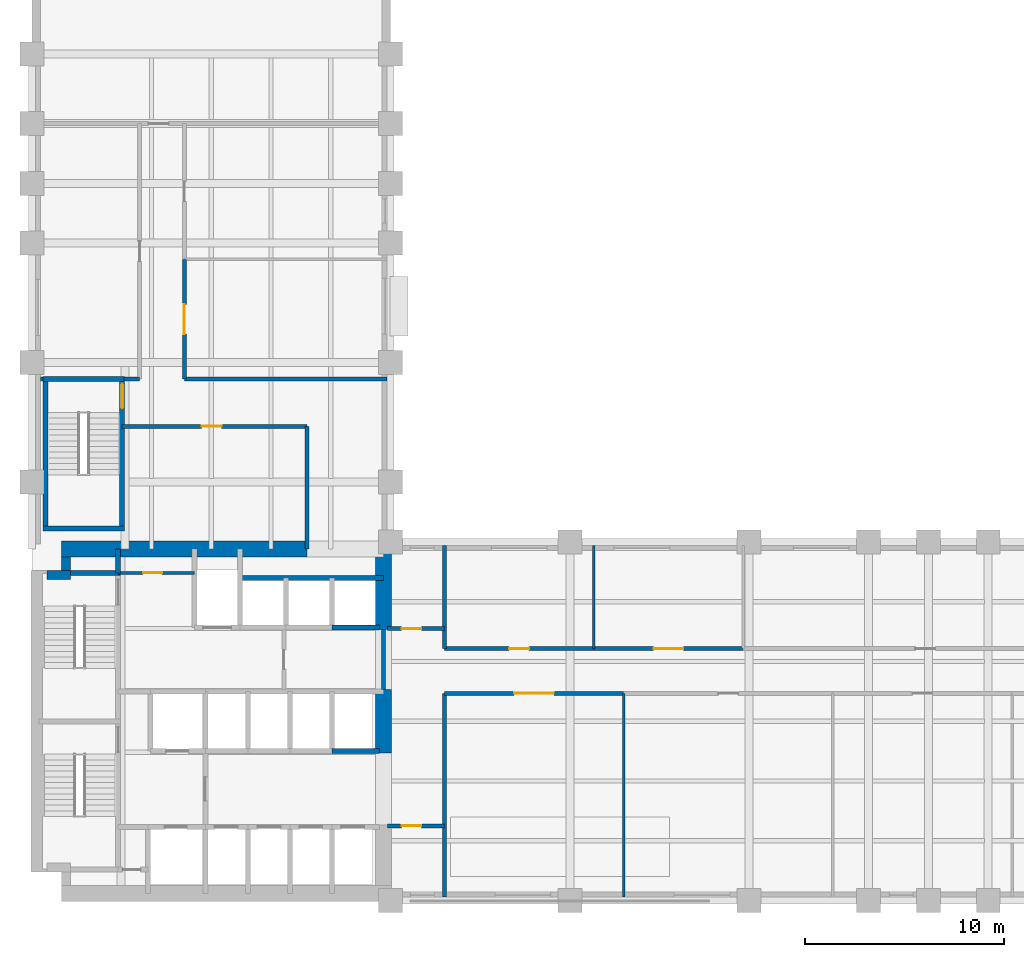
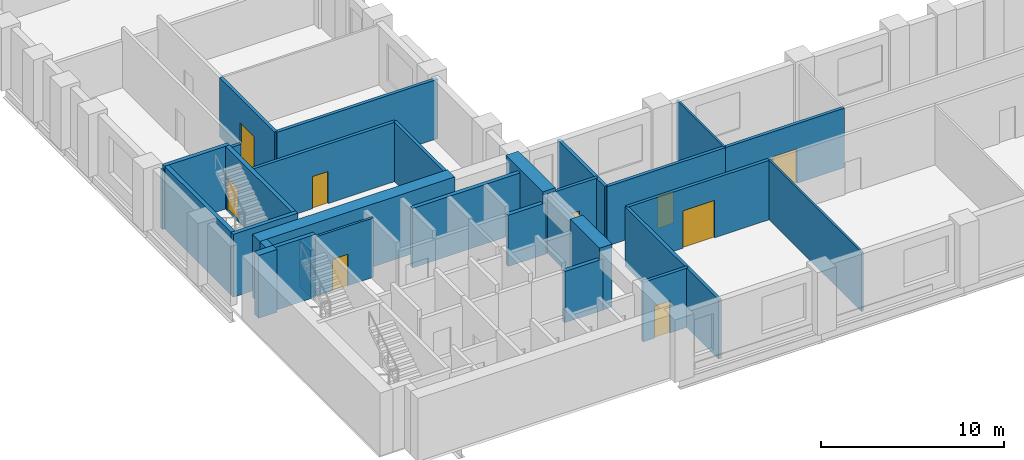
# One storey, part 4 of 8: 31 walls, 9 doors, 9 openings.
"""IFC4 building model written with IfcOpenShell, lengths in metres."""

import ifcopenshell
import ifcopenshell.guid

model = None  # the IFC model being written
_history = None  # IfcOwnerHistory: only IFC2X3 demands one
_inside = {}  # id of a spatial element -> (the spatial element, [elements in it])
_under = {}  # id of a project, library or spatial element -> (it, [spatial elements below it])
_declared = {}  # id of a project -> (the project, [libraries it declares])
_typed = {}  # id of a type object -> (the type object, [elements of that type])
_made_of = {}  # id of a material, layer set ... -> (it, [elements and type objects made of it])


def new_model(schema):
    """Start an empty IFC model of exactly this schema.

    Asked for "IFC4X3", IfcOpenShell would pick the latest addendum, in which some entities
    have other attributes; the version numbers below select the first issue.
    IFC2X3 requires an IfcOwnerHistory on every rooted entity: one is made here for all.
    """
    global model, _history
    if schema == "IFC4X3":
        model = ifcopenshell.file(schema_version=(4, 3, 0, 0))
    else:
        model = ifcopenshell.file(schema=schema)
    _inside.clear()
    _under.clear()
    _declared.clear()
    _typed.clear()
    _made_of.clear()
    _history = None
    if model.schema == "IFC2X3":
        org = make("IfcOrganization", Name="unknown")
        user = make(
            "IfcPersonAndOrganization",
            ThePerson=make("IfcPerson", FamilyName="unknown"),
            TheOrganization=org,
        )
        app = make(
            "IfcApplication",
            ApplicationDeveloper=org,
            Version="unknown",
            ApplicationFullName="unknown",
            ApplicationIdentifier="unknown",
        )
        _history = make(
            "IfcOwnerHistory",
            OwningUser=user,
            OwningApplication=app,
            ChangeAction="ADDED",
            CreationDate=0,
        )
    return model


def make(cls, **values):
    """One entity of the class cls with the attributes given. An attribute that is None is left unset."""
    return model.create_entity(
        cls, **{name: value for name, value in values.items() if value is not None}
    )


def rooted(cls, **values):
    """An entity with a GlobalId (a new one), such as an element, a storey or a relation."""
    return make(cls, GlobalId=ifcopenshell.guid.new(), OwnerHistory=_history, **values)


def si_unit(unit_type, name, prefix=None):
    """IfcSIUnit, for example si_unit("LENGTHUNIT", "METRE", prefix="MILLI")."""
    return make("IfcSIUnit", UnitType=unit_type, Prefix=prefix, Name=name)


def assignment(units):
    """IfcUnitAssignment: the units of a project."""
    return None if units is None else make("IfcUnitAssignment", Units=units)


def point(xyz):
    """IfcCartesianPoint."""
    return None if xyz is None else make("IfcCartesianPoint", Coordinates=xyz)


def direction(xyz):
    """IfcDirection."""
    return None if xyz is None else make("IfcDirection", DirectionRatios=xyz)


def frame(location, z_axis=None, x_axis=None):
    """IfcAxis2Placement3D, a coordinate frame: its origin and axes. An axis left out is left unset."""
    return make(
        "IfcAxis2Placement3D",
        Location=point(location),
        Axis=direction(z_axis),
        RefDirection=direction(x_axis),
    )


def frame_2d(location, x_axis=None):
    """IfcAxis2Placement2D, a coordinate frame in the plane: its origin and x axis."""
    return make(
        "IfcAxis2Placement2D", Location=point(location), RefDirection=direction(x_axis)
    )


def origin():
    """The frame at (0, 0, 0) with its axes left unset."""
    return frame((0.0, 0.0, 0.0))


def place(relative_to, where):
    """IfcLocalPlacement: puts the frame where relative to a parent placement (None: the world)."""
    return make(
        "IfcLocalPlacement", PlacementRelTo=relative_to, RelativePlacement=where
    )


def context(
    kind, dimensions, precision=None, world=None, true_north=None, identifier=None
):
    """IfcGeometricRepresentationContext, for example the 3D "Model" context."""
    return make(
        "IfcGeometricRepresentationContext",
        ContextIdentifier=identifier,
        ContextType=kind,
        CoordinateSpaceDimension=dimensions,
        Precision=precision,
        WorldCoordinateSystem=world,
        TrueNorth=true_north,
    )


def subcontext(parent, identifier, kind, view, scale=None):
    """IfcGeometricRepresentationSubContext, for example "Body" below "Model"."""
    return make(
        "IfcGeometricRepresentationSubContext",
        ContextIdentifier=identifier,
        ContextType=kind,
        ParentContext=parent,
        TargetScale=scale,
        TargetView=view,
    )


def project(units=None, contexts=None):
    """IfcProject with its units and contexts."""
    return rooted(
        "IfcProject",
        Name="project",
        RepresentationContexts=contexts,
        UnitsInContext=assignment(units),
    )


def spatial(cls, under=None, at=None, **own):
    """A site, building, storey or space (cls), placed at a placement, below another one or the project."""
    s = rooted(cls, ObjectPlacement=at, **own)
    if under is not None:
        _under.setdefault(under.id(), (under, []))[1].append(s)
    return s


def profile(cls, at=None, kind="AREA", **sizes):
    """A parametric profile (cls). Its sizes go by their IFC names, for example OverallWidth=200.0."""
    return make(cls, ProfileType=kind, Position=at, **sizes)


def rectangle(**sizes):
    """IfcRectangleProfileDef."""
    return profile("IfcRectangleProfileDef", **sizes)


def extrude(swept, where, along, depth):
    """IfcExtrudedAreaSolid: the profile swept, set in the frame where, extruded along a direction by depth."""
    return make(
        "IfcExtrudedAreaSolid",
        SweptArea=swept,
        Position=where,
        ExtrudedDirection=direction(along),
        Depth=depth,
    )


def shape(context_of_items, identifier, shape_type, items):
    """IfcShapeRepresentation: the items that make up one representation, for example the "Body"."""
    return make(
        "IfcShapeRepresentation",
        ContextOfItems=context_of_items,
        RepresentationIdentifier=identifier,
        RepresentationType=shape_type,
        Items=items,
    )


def material(Name=None, Category=None):
    """IfcMaterial."""
    return make("IfcMaterial", Name=Name, Category=Category)


def layer(
    of_material, thickness, ventilated=None, Name=None, Category=None, Priority=None
):
    """IfcMaterialLayer: one layer of a wall or slab, of a material (None: an air gap)."""
    return make(
        "IfcMaterialLayer",
        Material=of_material,
        LayerThickness=thickness,
        IsVentilated=ventilated,
        Name=Name,
        Category=Category,
        Priority=Priority,
    )


def layer_set(layers, Name=None):
    """IfcMaterialLayerSet."""
    return make("IfcMaterialLayerSet", MaterialLayers=layers, LayerSetName=Name)


def made_of(thing, what):
    """Note that an element or type object is made of a material, layer set ...; save() writes the relation."""
    if what is not None:
        _made_of.setdefault(what.id(), (what, []))[1].append(thing)
    return thing


def type_object(cls, material=None, **own):
    """A type object (cls), such as IfcWallType, which elements share."""
    return made_of(rooted(cls, **own), material)


def element(
    cls,
    number,
    at=None,
    inside=None,
    cuts=None,
    type_object=None,
    material=None,
    context=None,
    identifier="Body",
    shape_type=None,
    held_by="IfcProductDefinitionShape",
    body=None,
    shapes=None,
    **own,
):
    """One element of the class cls, such as IfcWall. Its Tag is "e" and its number.

    at: its placement. inside: the storey or other place that contains it. cuts: it is an
    opening in that element (IfcRelVoidsElement). A single representation is given by context,
    identifier, shape_type and body (its items); several are given by shapes. held_by: the class
    of the entity that holds the representations. save() writes the other relations.
    """
    e = rooted(cls, Tag="e%d" % number, ObjectPlacement=at, **own)
    if body is not None:
        shapes = [shape(context, identifier, shape_type, body)]
    if shapes is not None:
        e.Representation = make(held_by, Representations=shapes)
    if inside is not None:
        _inside.setdefault(inside.id(), (inside, []))[1].append(e)
    if cuts is not None:
        rooted(
            "IfcRelVoidsElement", RelatingBuildingElement=cuts, RelatedOpeningElement=e
        )
    if type_object is not None:
        _typed.setdefault(type_object.id(), (type_object, []))[1].append(e)
    return made_of(e, material)


def fill(opening, filler):
    """IfcRelFillsElement: the door or window that sits in an opening."""
    return rooted(
        "IfcRelFillsElement",
        RelatingOpeningElement=opening,
        RelatedBuildingElement=filler,
    )


def aggregate(whole, parts):
    """IfcRelAggregates: a whole, such as a stair, and the parts it consists of."""
    return rooted("IfcRelAggregates", RelatingObject=whole, RelatedObjects=parts)


def save(model, path):
    """Write the relations noted so far, then the file.

    IfcRelAggregates (storeys below a building ...), IfcRelContainedInSpatialStructure (elements
    in a storey), IfcRelDefinesByType, IfcRelAssociatesMaterial and IfcRelDeclares: one each for
    every whole, place, type object, material and project.
    """
    for whole, parts in _under.values():
        aggregate(whole, parts)
    for where, things in _inside.values():
        rooted(
            "IfcRelContainedInSpatialStructure",
            RelatedElements=things,
            RelatingStructure=where,
        )
    for kind, things in _typed.values():
        rooted("IfcRelDefinesByType", RelatedObjects=things, RelatingType=kind)
    for what, things in _made_of.values():
        rooted("IfcRelAssociatesMaterial", RelatedObjects=things, RelatingMaterial=what)
    for by, libraries in _declared.values():
        rooted("IfcRelDeclares", RelatingContext=by, RelatedDefinitions=libraries)
    model.write(path)


model = new_model("IFC4")

# Units and contexts
model_context = context("Model", 3, precision=1e-05, world=origin(), true_north=direction((0.0, 1.0)))
body_context = subcontext(model_context, "Body", "Model", "MODEL_VIEW")
ifc_project = project(units=[si_unit("LENGTHUNIT", "METRE"), si_unit("AREAUNIT", "SQUARE_METRE"), si_unit("VOLUMEUNIT", "CUBIC_METRE"), si_unit("PLANEANGLEUNIT", "RADIAN"), si_unit("MASSUNIT", "GRAM", prefix="KILO")], contexts=[model_context])

# Site, building, storey
site_placement = place(None, origin())
site = spatial("IfcSite", under=ifc_project, at=site_placement, CompositionType="ELEMENT")
building_placement = place(site_placement, origin())
building = spatial("IfcBuilding", under=site, at=building_placement, Name="Mawjdan Bourse Tower", CompositionType="ELEMENT")
storey_placement = place(building_placement, frame((0.0, 0.0, 38.39990234375)))
storey = spatial("IfcBuildingStorey", under=building, at=storey_placement, Name="L08", CompositionType="ELEMENT", Elevation=38.39990234375)

# Wall
ifc_material_1 = material(Name="Gypsum Fireboard Assembly")
ifc_layer_1 = layer(ifc_material_1, 0.199951171875)
ifc_layer_set_1 = layer_set([ifc_layer_1], Name="Gypsum Fireboard Assembly")
wall_type_1 = type_object("IfcWallType", Name="WL-CMP-200", PredefinedType="PARTITIONING", material=ifc_layer_set_1)
wall_1_placement = place(storey_placement, frame((23.64990234375, 13.60009765625, 0.0), z_axis=(0.0, 0.0, 1.0), x_axis=(0.0, 1.0, 0.0)))
element("IfcWall", 1, at=wall_1_placement, inside=storey, type_object=wall_type_1, Name="L08 Core Restroom East Enclosing Wall", PredefinedType="PARTITIONING", context=body_context, shape_type="SweptSolid", body=[
    extrude(rectangle(XDim=3.0, YDim=0.199951171875, at=frame_2d((1.5, 0.0))), origin(), (0.0, 0.0, 1.0), 3.97021484375),
])

# Wall, opening, door
wall_2_placement = place(storey_placement, frame((23.85009765625, 6.75, 0.0), z_axis=(0.0, 0.0, 1.0), x_axis=(1.0, 0.0, 0.0)))
wall_2 = element("IfcWall", 2, at=wall_2_placement, inside=storey, type_object=wall_type_1, Name="L08 West Pocket North Wall", PredefinedType="PARTITIONING", context=body_context, shape_type="SweptSolid", body=[
    extrude(rectangle(XDim=2.849853515625, YDim=0.199951171875, at=frame_2d((1.4248046875, 0.0))), origin(), (0.0, 0.0, 1.0), 3.97021484375),
])
opening_1_placement = place(wall_2_placement, frame((0.699951171875, 0.0, 0.0)))
opening_1 = element("IfcOpeningElement", 3, at=opening_1_placement, cuts=wall_2, Name="Opening D-L08-17", PredefinedType="OPENING", context=body_context, shape_type="SweptSolid", body=[
    extrude(rectangle(XDim=1.0, YDim=2.14990234375, at=frame_2d((0.5, 1.074951171875))), frame((0.0, 0.10986328125, 0.0), z_axis=(0.0, -1.0, 0.0), x_axis=(1.0, 0.0, 0.0)), (0.0, 0.0, 1.0), 0.219970703125),
])
ifc_material_2 = material(Name="Hardwood Acoustic Leaf", Category="wood")
door_type_1 = type_object("IfcDoorType", Name="DR-OFC-1000", OperationType="NOTDEFINED", PredefinedType="DOOR", material=ifc_material_2)
door_1_placement = place(opening_1_placement, origin())
door_1 = element("IfcDoor", 4, at=door_1_placement, inside=storey, type_object=door_type_1, Name="L08 West Pocket Office Door D-L08-17", OperationType="SINGLE_SWING_RIGHT", OverallHeight=2.14990234375, OverallWidth=1.0, PredefinedType="DOOR", context=body_context, shape_type="SweptSolid", body=[
    extrude(rectangle(XDim=1.0, YDim=2.14990234375, at=frame_2d((0.5, 1.074951171875))), frame((0.0, 0.02490234375, 0.0), z_axis=(0.0, -1.0, 0.0), x_axis=(1.0, 0.0, 0.0)), (0.0, 0.0, 1.0), 0.050048828125),
])
fill(opening_1, door_1)

wall_3_placement = place(storey_placement, frame((23.85009765625, 16.64990234375, 0.0), z_axis=(0.0, 0.0, 1.0), x_axis=(1.0, 0.0, 0.0)))
wall_3 = element("IfcWall", 5, at=wall_3_placement, inside=storey, type_object=wall_type_1, Name="L08 West North Pocket Wall", PredefinedType="PARTITIONING", context=body_context, shape_type="SweptSolid", body=[
    extrude(rectangle(XDim=2.849853515625, YDim=0.199951171875, at=frame_2d((1.4248046875, 0.0))), origin(), (0.0, 0.0, 1.0), 3.97021484375),
])
opening_2_placement = place(wall_3_placement, frame((0.699951171875, 0.0, 0.0)))
opening_2 = element("IfcOpeningElement", 6, at=opening_2_placement, cuts=wall_3, Name="Opening D-L08-18", PredefinedType="OPENING", context=body_context, shape_type="SweptSolid", body=[
    extrude(rectangle(XDim=1.0, YDim=2.14990234375, at=frame_2d((0.5, 1.074951171875))), frame((0.0, 0.10986328125, 0.0), z_axis=(0.0, -1.0, 0.0), x_axis=(1.0, 0.0, 0.0)), (0.0, 0.0, 1.0), 0.219970703125),
])
door_2_placement = place(opening_2_placement, origin())
door_2 = element("IfcDoor", 7, at=door_2_placement, inside=storey, type_object=door_type_1, Name="L08 West North Pocket Door D-L08-18", OperationType="SINGLE_SWING_LEFT", OverallHeight=2.14990234375, OverallWidth=1.0, PredefinedType="DOOR", context=body_context, shape_type="SweptSolid", body=[
    extrude(rectangle(XDim=1.0, YDim=2.14990234375, at=frame_2d((0.5, 1.074951171875))), frame((0.0, 0.02490234375, 0.0), z_axis=(0.0, -1.0, 0.0), x_axis=(1.0, 0.0, 0.0)), (0.0, 0.0, 1.0), 0.050048828125),
])
fill(opening_2, door_2)

# Walls
wall_4_placement = place(storey_placement, frame((26.699951171875, 3.179931640625, 0.0), z_axis=(0.0, 0.0, 1.0), x_axis=(0.0, 1.0, 0.0)))
element("IfcWall", 8, at=wall_4_placement, inside=storey, type_object=wall_type_1, Name="L08 Vestibule South East Wall", PredefinedType="PARTITIONING", context=body_context, shape_type="SweptSolid", body=[
    extrude(rectangle(XDim=10.219970703125, YDim=0.199951171875, at=frame_2d((5.10986328125, 0.0))), origin(), (0.0, 0.0, 1.0), 3.97021484375),
])
wall_5_placement = place(storey_placement, frame((26.699951171875, 15.64990234375, 0.0), z_axis=(0.0, 0.0, 1.0), x_axis=(0.0, 1.0, 0.0)))
element("IfcWall", 9, at=wall_5_placement, inside=storey, type_object=wall_type_1, Name="L08 Vestibule North East Wall", PredefinedType="PARTITIONING", context=body_context, shape_type="SweptSolid", body=[
    extrude(rectangle(XDim=5.170166015625, YDim=0.199951171875, at=frame_2d((2.5849609375, 0.0))), origin(), (0.0, 0.0, 1.0), 3.97021484375),
])

# Wall, opening, door
wall_6_placement = place(storey_placement, frame((26.699951171875, 13.39990234375, 0.0), z_axis=(0.0, 0.0, 1.0), x_axis=(1.0, 0.0, 0.0)))
wall_6 = element("IfcWall", 10, at=wall_6_placement, inside=storey, type_object=wall_type_1, Name="L08 Trading Floor Corridor Wall", PredefinedType="PARTITIONING", context=body_context, shape_type="SweptSolid", body=[
    extrude(rectangle(XDim=9.0, YDim=0.199951171875, at=frame_2d((4.5, 0.0))), origin(), (0.0, 0.0, 1.0), 3.97021484375),
])
opening_3_placement = place(wall_6_placement, frame((3.5, 0.0, 0.0)))
opening_3 = element("IfcOpeningElement", 11, at=opening_3_placement, cuts=wall_6, Name="Opening D-L08-19", PredefinedType="OPENING", context=body_context, shape_type="SweptSolid", body=[
    extrude(rectangle(XDim=2.0, YDim=2.5, at=frame_2d((1.0, 1.25))), frame((0.0, 0.10986328125, 0.0), z_axis=(0.0, -1.0, 0.0), x_axis=(1.0, 0.0, 0.0)), (0.0, 0.0, 1.0), 0.219970703125),
])
ifc_material_3 = material(Name="Acoustic Veneered Timber", Category="wood")
door_type_2 = type_object("IfcDoorType", Name="DR-ASM-2000", OperationType="DOUBLE_DOOR_SINGLE_SWING", PredefinedType="DOOR", material=ifc_material_3)
door_3_placement = place(opening_3_placement, origin())
door_3 = element("IfcDoor", 12, at=door_3_placement, inside=storey, type_object=door_type_2, Name="L08 Trading Floor Door D-L08-19", OperationType="DOUBLE_DOOR_SINGLE_SWING", OverallHeight=2.5, OverallWidth=2.0, PredefinedType="DOOR", context=body_context, shape_type="SweptSolid", body=[
    extrude(rectangle(XDim=2.0, YDim=2.5, at=frame_2d((1.0, 1.25))), frame((0.0, 0.02490234375, 0.0), z_axis=(0.0, -1.0, 0.0), x_axis=(1.0, 0.0, 0.0)), (0.0, 0.0, 1.0), 0.050048828125),
])
fill(opening_3, door_3)

wall_7_placement = place(storey_placement, frame((26.699951171875, 15.64990234375, 0.0), z_axis=(0.0, 0.0, 1.0), x_axis=(1.0, 0.0, 0.0)))
wall_7 = element("IfcWall", 13, at=wall_7_placement, inside=storey, type_object=wall_type_1, Name="L08 Brokerage Suite Corridor Wall", PredefinedType="PARTITIONING", context=body_context, shape_type="SweptSolid", body=[
    extrude(rectangle(XDim=7.5, YDim=0.199951171875, at=frame_2d((3.75, 0.0))), origin(), (0.0, 0.0, 1.0), 3.97021484375),
])
opening_4_placement = place(wall_7_placement, frame((3.25, 0.0, 0.0)))
opening_4 = element("IfcOpeningElement", 14, at=opening_4_placement, cuts=wall_7, Name="Opening D-L08-23", PredefinedType="OPENING", context=body_context, shape_type="SweptSolid", body=[
    extrude(rectangle(XDim=1.0, YDim=2.14990234375, at=frame_2d((0.5, 1.074951171875))), frame((0.0, 0.10986328125, 0.0), z_axis=(0.0, -1.0, 0.0), x_axis=(1.0, 0.0, 0.0)), (0.0, 0.0, 1.0), 0.219970703125),
])
door_4_placement = place(opening_4_placement, origin())
door_4 = element("IfcDoor", 15, at=door_4_placement, inside=storey, type_object=door_type_1, Name="L08 Brokerage Suite Door D-L08-23", OperationType="SINGLE_SWING_RIGHT", OverallHeight=2.14990234375, OverallWidth=1.0, PredefinedType="DOOR", context=body_context, shape_type="SweptSolid", body=[
    extrude(rectangle(XDim=1.0, YDim=2.14990234375, at=frame_2d((0.5, 1.074951171875))), frame((0.0, 0.02490234375, 0.0), z_axis=(0.0, -1.0, 0.0), x_axis=(1.0, 0.0, 0.0)), (0.0, 0.0, 1.0), 0.050048828125),
])
fill(opening_4, door_4)

wall_8_placement = place(storey_placement, frame((34.199951171875, 15.64990234375, 0.0), z_axis=(0.0, 0.0, 1.0), x_axis=(1.0, 0.0, 0.0)))
wall_8 = element("IfcWall", 16, at=wall_8_placement, inside=storey, type_object=wall_type_1, Name="L08 Conference Room Corridor Wall", PredefinedType="PARTITIONING", context=body_context, shape_type="SweptSolid", body=[
    extrude(rectangle(XDim=7.5, YDim=0.199951171875, at=frame_2d((3.75, 0.0))), origin(), (0.0, 0.0, 1.0), 3.97021484375),
])
opening_5_placement = place(wall_8_placement, frame((3.0, 0.0, 0.0)))
opening_5 = element("IfcOpeningElement", 17, at=opening_5_placement, cuts=wall_8, Name="Opening D-L08-24", PredefinedType="OPENING", context=body_context, shape_type="SweptSolid", body=[
    extrude(rectangle(XDim=1.5, YDim=2.300048828125, at=frame_2d((0.75, 1.14990234375))), frame((0.0, 0.10986328125, 0.0), z_axis=(0.0, -1.0, 0.0), x_axis=(1.0, 0.0, 0.0)), (0.0, 0.0, 1.0), 0.219970703125),
])
ifc_material_4 = material(Name="Acoustic Glazed Timber", Category="wood")
door_type_3 = type_object("IfcDoorType", Name="DR-CNF-1500", OperationType="DOUBLE_DOOR_SINGLE_SWING", PredefinedType="DOOR", material=ifc_material_4)
door_5_placement = place(opening_5_placement, origin())
door_5 = element("IfcDoor", 18, at=door_5_placement, inside=storey, type_object=door_type_3, Name="L08 Conference Room Door D-L08-24", OperationType="DOUBLE_DOOR_SINGLE_SWING", OverallHeight=2.300048828125, OverallWidth=1.5, PredefinedType="DOOR", context=body_context, shape_type="SweptSolid", body=[
    extrude(rectangle(XDim=1.5, YDim=2.300048828125, at=frame_2d((0.75, 1.14990234375))), frame((0.0, 0.02490234375, 0.0), z_axis=(0.0, -1.0, 0.0), x_axis=(1.0, 0.0, 0.0)), (0.0, 0.0, 1.0), 0.050048828125),
])
fill(opening_5, door_5)

wall_9_placement = place(storey_placement, frame((10.52001953125, 26.800048828125, 0.0), z_axis=(0.0, 0.0, 1.0), x_axis=(1.0, 0.0, 0.0)))
wall_9 = element("IfcWall", 19, at=wall_9_placement, inside=storey, type_object=wall_type_1, Name="L08 North Throat North Wall", PredefinedType="PARTITIONING", context=body_context, shape_type="SweptSolid", body=[
    extrude(rectangle(XDim=9.280029296875, YDim=0.199951171875, at=frame_2d((4.64013671875, 0.0))), origin(), (0.0, 0.0, 1.0), 3.97021484375),
])
opening_6_placement = place(wall_9_placement, frame((4.0, 0.0, 0.0)))
opening_6 = element("IfcOpeningElement", 20, at=opening_6_placement, cuts=wall_9, Name="Opening D-L08-27", PredefinedType="OPENING", context=body_context, shape_type="SweptSolid", body=[
    extrude(rectangle(XDim=1.0, YDim=2.14990234375, at=frame_2d((0.5, 1.074951171875))), frame((0.0, 0.10986328125, 0.0), z_axis=(0.0, -1.0, 0.0), x_axis=(1.0, 0.0, 0.0)), (0.0, 0.0, 1.0), 0.219970703125),
])
door_6_placement = place(opening_6_placement, origin())
door_6 = element("IfcDoor", 21, at=door_6_placement, inside=storey, type_object=door_type_1, Name="L08 North Throat Suite Door D-L08-27", OperationType="SINGLE_SWING_LEFT", OverallHeight=2.14990234375, OverallWidth=1.0, PredefinedType="DOOR", context=body_context, shape_type="SweptSolid", body=[
    extrude(rectangle(XDim=1.0, YDim=2.14990234375, at=frame_2d((0.5, 1.074951171875))), frame((0.0, 0.02490234375, 0.0), z_axis=(0.0, -1.0, 0.0), x_axis=(1.0, 0.0, 0.0)), (0.0, 0.0, 1.0), 0.050048828125),
])
fill(opening_6, door_6)

# Walls
wall_10_placement = place(storey_placement, frame((19.800048828125, 20.64990234375, 0.0), z_axis=(0.0, 0.0, 1.0), x_axis=(0.0, 1.0, 0.0)))
element("IfcWall", 22, at=wall_10_placement, inside=storey, type_object=wall_type_1, Name="L08 North Throat East Wall", PredefinedType="PARTITIONING", context=body_context, shape_type="SweptSolid", body=[
    extrude(rectangle(XDim=6.150146484375, YDim=0.199951171875, at=frame_2d((3.0751953125, 0.0))), origin(), (0.0, 0.0, 1.0), 3.97021484375),
])
wall_11_placement = place(storey_placement, frame((6.419921875, 29.179931640625, 0.0), z_axis=(0.0, 0.0, 1.0), x_axis=(1.0, 0.0, 0.0)))
element("IfcWall", 23, at=wall_11_placement, inside=storey, type_object=wall_type_1, Name="L08 North West Band ST3 West Return", PredefinedType="PARTITIONING", context=body_context, shape_type="SweptSolid", body=[
    extrude(rectangle(XDim=0.135009765625, YDim=0.199951171875, at=frame_2d((0.0673828125, 0.0))), origin(), (0.0, 0.0, 1.0), 3.97021484375),
])
wall_12_placement = place(storey_placement, frame((10.6298828125, 29.179931640625, 0.0), z_axis=(0.0, 0.0, 1.0), x_axis=(1.0, 0.0, 0.0)))
element("IfcWall", 24, at=wall_12_placement, inside=storey, type_object=wall_type_1, Name="L08 North West Band South Wall", PredefinedType="PARTITIONING", context=body_context, shape_type="SweptSolid", body=[
    extrude(rectangle(XDim=0.77001953125, YDim=0.199951171875, at=frame_2d((0.385009765625, 0.0))), origin(), (0.0, 0.0, 1.0), 3.97021484375),
])
wall_13_placement = place(storey_placement, frame((13.64990234375, 29.179931640625, 0.0), z_axis=(0.0, 0.0, 1.0), x_axis=(1.0, 0.0, 0.0)))
element("IfcWall", 25, at=wall_13_placement, inside=storey, type_object=wall_type_1, Name="L08 North East Band South Wall", PredefinedType="PARTITIONING", context=body_context, shape_type="SweptSolid", body=[
    extrude(rectangle(XDim=10.170166015625, YDim=0.199951171875, at=frame_2d((5.0849609375, 0.0))), origin(), (0.0, 0.0, 1.0), 3.97021484375),
])

# Wall, opening, door
wall_14_placement = place(storey_placement, frame((13.64990234375, 29.179931640625, 0.0), z_axis=(0.0, 0.0, 1.0), x_axis=(0.0, 1.0, 0.0)))
wall_14 = element("IfcWall", 26, at=wall_14_placement, inside=storey, type_object=wall_type_1, Name="L08 Conference Room Corridor Wall", PredefinedType="PARTITIONING", context=body_context, shape_type="SweptSolid", body=[
    extrude(rectangle(XDim=6.0, YDim=0.199951171875, at=frame_2d((3.0, 0.0))), origin(), (0.0, 0.0, 1.0), 3.97021484375),
])
opening_7_placement = place(wall_14_placement, frame((2.25, 0.0, 0.0)))
opening_7 = element("IfcOpeningElement", 27, at=opening_7_placement, cuts=wall_14, Name="Opening D-L08-29", PredefinedType="OPENING", context=body_context, shape_type="SweptSolid", body=[
    extrude(rectangle(XDim=1.5, YDim=2.300048828125, at=frame_2d((0.75, 1.14990234375))), frame((0.0, 0.10986328125, 0.0), z_axis=(0.0, -1.0, 0.0), x_axis=(1.0, 0.0, 0.0)), (0.0, 0.0, 1.0), 0.219970703125),
])
door_7_placement = place(opening_7_placement, origin())
door_7 = element("IfcDoor", 28, at=door_7_placement, inside=storey, type_object=door_type_3, Name="L08 Conference Room Door D-L08-29", OperationType="DOUBLE_DOOR_SINGLE_SWING", OverallHeight=2.300048828125, OverallWidth=1.5, PredefinedType="DOOR", context=body_context, shape_type="SweptSolid", body=[
    extrude(rectangle(XDim=1.5, YDim=2.300048828125, at=frame_2d((0.75, 1.14990234375))), frame((0.0, 0.02490234375, 0.0), z_axis=(0.0, -1.0, 0.0), x_axis=(1.0, 0.0, 0.0)), (0.0, 0.0, 1.0), 0.050048828125),
])
fill(opening_7, door_7)

# Walls
ifc_material_5 = material(Name="Concrete C60/75", Category="concrete")
ifc_layer_2 = layer(ifc_material_5, 0.449951171875)
ifc_layer_set_2 = layer_set([ifc_layer_2], Name="Concrete C60/75")
wall_type_2 = type_object("IfcWallType", Name="WL-CORE-450", PredefinedType="SHEAR", material=ifc_layer_set_2)
wall_15_placement = place(storey_placement, frame((6.75, 19.35009765625, 0.0), z_axis=(0.0, 0.0, 1.0), x_axis=(1.0, 0.0, 0.0)))
element("IfcWall", 29, at=wall_15_placement, inside=storey, type_object=wall_type_2, Name="L08 Rear Core Shear Wall NW-X", PredefinedType="SHEAR", context=body_context, shape_type="SweptSolid", body=[
    extrude(rectangle(XDim=1.175048828125, YDim=0.449951171875, at=frame_2d((0.58740234375, 0.0))), origin(), (0.0, 0.0, 1.0), 4.2001953125),
])
wall_16_placement = place(storey_placement, frame((7.699951171875, 19.574951171875, 0.0), z_axis=(0.0, 0.0, 1.0), x_axis=(0.0, 1.0, 0.0)))
element("IfcWall", 30, at=wall_16_placement, inside=storey, type_object=wall_type_2, Name="L08 Rear Core Shear Wall NW-Y", PredefinedType="SHEAR", context=body_context, shape_type="SweptSolid", body=[
    extrude(rectangle(XDim=0.675048828125, YDim=0.449951171875, at=frame_2d((0.33740234375, 0.0))), origin(), (0.0, 0.0, 1.0), 4.2001953125),
])
ifc_material_6 = material(Name="Concrete C80/95", Category="concrete")
ifc_layer_3 = layer(ifc_material_6, 0.800048828125)
ifc_layer_set_3 = layer_set([ifc_layer_3], Name="Concrete C80/95")
wall_type_3 = type_object("IfcWallType", Name="WL-CORE-800", PredefinedType="SHEAR", material=ifc_layer_set_3)
wall_17_placement = place(storey_placement, frame((7.47509765625, 20.64990234375, 0.0), z_axis=(0.0, 0.0, 1.0), x_axis=(1.0, 0.0, 0.0)))
element("IfcWall", 31, at=wall_17_placement, inside=storey, type_object=wall_type_3, Name="L08 Rear Core Shear Wall N", PredefinedType="SHEAR", context=body_context, shape_type="SweptSolid", body=[
    extrude(rectangle(XDim=12.324951171875, YDim=0.800048828125, at=frame_2d((6.16259765625, 0.0))), origin(), (0.0, 0.0, 1.0), 4.2001953125),
])
wall_18_placement = place(storey_placement, frame((23.64990234375, 10.39990234375, 0.0), z_axis=(0.0, 0.0, 1.0), x_axis=(0.0, 1.0, 0.0)))
element("IfcWall", 32, at=wall_18_placement, inside=storey, type_object=wall_type_3, Name="L08 Rear Core Shear Wall E2", PredefinedType="SHEAR", context=body_context, shape_type="SweptSolid", body=[
    extrude(rectangle(XDim=3.2001953125, YDim=0.800048828125, at=frame_2d((1.60009765625, 0.0))), origin(), (0.0, 0.0, 1.0), 4.2001953125),
])
wall_19_placement = place(storey_placement, frame((23.64990234375, 16.60009765625, 0.0), z_axis=(0.0, 0.0, 1.0), x_axis=(0.0, 1.0, 0.0)))
element("IfcWall", 33, at=wall_19_placement, inside=storey, type_object=wall_type_3, Name="L08 Rear Core Shear Wall E3", PredefinedType="SHEAR", context=body_context, shape_type="SweptSolid", body=[
    extrude(rectangle(XDim=4.0498046875, YDim=0.800048828125, at=frame_2d((2.02490234375, 0.0))), origin(), (0.0, 0.0, 1.0), 4.2001953125),
])
ifc_material_7 = material(Name="Gypsum Partition")
ifc_layer_4 = layer(ifc_material_7, 0.125)
ifc_layer_set_4 = layer_set([ifc_layer_4], Name="Gypsum Partition")
wall_type_4 = type_object("IfcWallType", Name="WL-PRT-125", PredefinedType="PARTITIONING", material=ifc_layer_set_4)
wall_20_placement = place(storey_placement, frame((35.699951171875, 3.179931640625, 0.0), z_axis=(0.0, 0.0, 1.0), x_axis=(0.0, 1.0, 0.0)))
element("IfcWall", 34, at=wall_20_placement, inside=storey, type_object=wall_type_4, Name="L08 Equities Research Library Partition", PredefinedType="PARTITIONING", context=body_context, shape_type="SweptSolid", body=[
    extrude(rectangle(XDim=10.219970703125, YDim=0.125, at=frame_2d((5.10986328125, 0.0))), origin(), (0.0, 0.0, 1.0), 3.97021484375),
])
wall_21_placement = place(storey_placement, frame((34.199951171875, 15.64990234375, 0.0), z_axis=(0.0, 0.0, 1.0), x_axis=(0.0, 1.0, 0.0)))
element("IfcWall", 35, at=wall_21_placement, inside=storey, type_object=wall_type_4, Name="L08 Conference Room Partition", PredefinedType="PARTITIONING", context=body_context, shape_type="SweptSolid", body=[
    extrude(rectangle(XDim=5.170166015625, YDim=0.125, at=frame_2d((2.5849609375, 0.0))), origin(), (0.0, 0.0, 1.0), 3.97021484375),
])

# Wall, opening, door
ifc_material_8 = material(Name="Gypsum Acoustic Partition")
ifc_layer_5 = layer(ifc_material_8, 0.14990234375)
ifc_layer_set_5 = layer_set([ifc_layer_5], Name="Gypsum Acoustic Partition")
wall_type_5 = type_object("IfcWallType", Name="WL-PRT-150", PredefinedType="PARTITIONING", material=ifc_layer_set_5)
wall_22_placement = place(storey_placement, frame((10.330078125, 19.449951171875, 0.0), z_axis=(0.0, 0.0, 1.0), x_axis=(1.0, 0.0, 0.0)))
wall_22 = element("IfcWall", 36, at=wall_22_placement, inside=storey, type_object=wall_type_5, Name="L08 Housekeeping South Wall", PredefinedType="PARTITIONING", context=body_context, shape_type="SweptSolid", body=[
    extrude(rectangle(XDim=3.81982421875, YDim=0.14990234375, at=frame_2d((1.909912109375, 0.0))), origin(), (0.0, 0.0, 1.0), 3.97021484375),
])
opening_8_placement = place(wall_22_placement, frame((1.25, 0.0, 0.0)))
opening_8 = element("IfcOpeningElement", 37, at=opening_8_placement, cuts=wall_22, Name="Opening D-L08-15", PredefinedType="OPENING", context=body_context, shape_type="SweptSolid", body=[
    extrude(rectangle(XDim=0.949951171875, YDim=2.10009765625, at=frame_2d((0.47509765625, 1.050048828125))), frame((0.0, 0.0849609375, 0.0), z_axis=(0.0, -1.0, 0.0), x_axis=(1.0, 0.0, 0.0)), (0.0, 0.0, 1.0), 0.169921875),
])
ifc_material_9 = material(Name="Moisture-Resistant Laminate Timber", Category="wood")
door_type_4 = type_object("IfcDoorType", Name="DR-WET-0950", OperationType="NOTDEFINED", PredefinedType="DOOR", material=ifc_material_9)
door_8_placement = place(opening_8_placement, origin())
door_8 = element("IfcDoor", 38, at=door_8_placement, inside=storey, type_object=door_type_4, Name="L08 Housekeeping Closet Door D-L08-15", OperationType="SINGLE_SWING_RIGHT", OverallHeight=2.10009765625, OverallWidth=0.949951171875, PredefinedType="DOOR", context=body_context, shape_type="SweptSolid", body=[
    extrude(rectangle(XDim=0.949951171875, YDim=2.10009765625, at=frame_2d((0.47509765625, 1.050048828125))), frame((0.0, 0.02490234375, 0.0), z_axis=(0.0, -1.0, 0.0), x_axis=(1.0, 0.0, 0.0)), (0.0, 0.0, 1.0), 0.050048828125),
])
fill(opening_8, door_8)

# Walls
ifc_material_10 = material(Name="Concrete C50/60", Category="concrete")
ifc_layer_6 = layer(ifc_material_10, 0.25)
ifc_layer_set_6 = layer_set([ifc_layer_6], Name="Concrete C50/60")
wall_type_6 = type_object("IfcWallType", Name="WL-SHFT-250", PredefinedType="PARTITIONING", material=ifc_layer_set_6)
wall_23_placement = place(storey_placement, frame((10.330078125, 19.449951171875, 0.0), z_axis=(0.0, 0.0, 1.0), x_axis=(0.0, 1.0, 0.0)))
element("IfcWall", 39, at=wall_23_placement, inside=storey, type_object=wall_type_6, Name="L08 NW Riser East Wall", PredefinedType="PARTITIONING", context=body_context, shape_type="SweptSolid", body=[
    extrude(rectangle(XDim=1.199951171875, YDim=0.25, at=frame_2d((0.60009765625, 0.0))), origin(), (0.0, 0.0, 1.0), 3.114013671875),
])
wall_24_placement = place(storey_placement, frame((21.050048828125, 16.699951171875, 0.0), z_axis=(0.0, 0.0, 1.0), x_axis=(1.0, 0.0, 0.0)))
element("IfcWall", 40, at=wall_24_placement, inside=storey, type_object=wall_type_6, Name="L08 PH-03 Front Wall", PredefinedType="PARTITIONING", context=body_context, shape_type="SweptSolid", body=[
    extrude(rectangle(XDim=2.39990234375, YDim=0.25, at=frame_2d((1.199951171875, 0.0))), origin(), (0.0, 0.0, 1.0), 3.426025390625),
])
wall_25_placement = place(storey_placement, frame((16.449951171875, 19.199951171875, 0.0), z_axis=(0.0, 0.0, 1.0), x_axis=(1.0, 0.0, 0.0)))
element("IfcWall", 41, at=wall_25_placement, inside=storey, type_object=wall_type_6, Name="L08 PH Bank North Shaft Back Wall", PredefinedType="PARTITIONING", context=body_context, shape_type="SweptSolid", body=[
    extrude(rectangle(XDim=7.199951171875, YDim=0.25, at=frame_2d((3.60009765625, 0.0))), origin(), (0.0, 0.0, 1.0), 3.97021484375),
])
wall_26_placement = place(storey_placement, frame((21.050048828125, 10.5, 0.0), z_axis=(0.0, 0.0, 1.0), x_axis=(1.0, 0.0, 0.0)))
element("IfcWall", 42, at=wall_26_placement, inside=storey, type_object=wall_type_6, Name="L08 PM-04 Front Wall", PredefinedType="PARTITIONING", context=body_context, shape_type="SweptSolid", body=[
    extrude(rectangle(XDim=2.39990234375, YDim=0.25, at=frame_2d((1.199951171875, 0.0))), origin(), (0.0, 0.0, 1.0), 3.426025390625),
])
ifc_layer_7 = layer(ifc_material_10, 0.25)
ifc_layer_set_7 = layer_set([ifc_layer_7], Name="Concrete C50/60")
wall_type_7 = type_object("IfcWallType", Name="WL-STRW-250", PredefinedType="SHEAR", material=ifc_layer_set_7)
wall_27_placement = place(storey_placement, frame((7.699951171875, 19.449951171875, 0.0), z_axis=(0.0, 0.0, 1.0), x_axis=(1.0, 0.0, 0.0)))
element("IfcWall", 43, at=wall_27_placement, inside=storey, type_object=wall_type_7, Name="L08 Stairwell ST2 North Shaft Wall", PredefinedType="SHEAR", context=body_context, shape_type="SweptSolid", body=[
    extrude(rectangle(XDim=2.755126953125, YDim=0.25, at=frame_2d((1.37744140625, 0.0))), origin(), (0.0, 0.0, 1.0), 4.2001953125),
])
for number, where, z_axis, x_axis, name in (
    (44, (6.554931640625, 21.679931640625, 0.0), (0.0, 0.0, 1.0), (1.0, 0.0, 0.0), "L08 ST3 South Shaft Wall"),
    (45, (6.554931640625, 29.179931640625, 0.0), (0.0, 0.0, 1.0), (1.0, 0.0, 0.0), "L08 ST3 North Shaft Wall"),
):
    element("IfcWall", number, at=place(storey_placement, frame(where, z_axis=z_axis, x_axis=x_axis)), inside=storey, type_object=wall_type_7, Name=name, PredefinedType="SHEAR", context=body_context, shape_type="SweptSolid", body=[
        extrude(rectangle(XDim=4.090087890625, YDim=0.25, at=frame_2d((2.044921875, 0.0))), origin(), (0.0, 0.0, 1.0), 4.2001953125),
    ])
wall_28_placement = place(storey_placement, frame((6.679931640625, 21.679931640625, 0.0), z_axis=(0.0, 0.0, 1.0), x_axis=(0.0, 1.0, 0.0)))
element("IfcWall", 46, at=wall_28_placement, inside=storey, type_object=wall_type_7, Name="L08 ST3 West Shaft Wall", PredefinedType="SHEAR", context=body_context, shape_type="SweptSolid", body=[
    extrude(rectangle(XDim=7.5, YDim=0.25, at=frame_2d((3.75, 0.0))), origin(), (0.0, 0.0, 1.0), 4.2001953125),
])

# Wall, opening, door
wall_29_placement = place(storey_placement, frame((10.52001953125, 21.679931640625, 0.0), z_axis=(0.0, 0.0, 1.0), x_axis=(0.0, 1.0, 0.0)))
wall_29 = element("IfcWall", 47, at=wall_29_placement, inside=storey, type_object=wall_type_7, Name="L08 ST3 East Shaft Wall", PredefinedType="SHEAR", context=body_context, shape_type="SweptSolid", body=[
    extrude(rectangle(XDim=7.5, YDim=0.25, at=frame_2d((3.75, 0.0))), origin(), (0.0, 0.0, 1.0), 4.2001953125),
])
opening_9_placement = place(wall_29_placement, frame((6.02001953125, 0.0, 0.0)))
opening_9 = element("IfcOpeningElement", 48, at=opening_9_placement, cuts=wall_29, Name="Opening SD-L08-16", PredefinedType="OPENING", context=body_context, shape_type="SweptSolid", body=[
    extrude(rectangle(XDim=1.25, YDim=2.199951171875, at=frame_2d((0.625, 1.10009765625))), frame((0.0, 0.135009765625, 0.0), z_axis=(0.0, -1.0, 0.0), x_axis=(1.0, 0.0, 0.0)), (0.0, 0.0, 1.0), 0.27001953125),
])
ifc_material_11 = material(Name="Fire-Rated Steel Leaf", Category="steel")
door_type_5 = type_object("IfcDoorType", Name="FD-ST-1250", OperationType="NOTDEFINED", PredefinedType="DOOR", material=ifc_material_11)
door_9_placement = place(opening_9_placement, origin())
door_9 = element("IfcDoor", 49, at=door_9_placement, inside=storey, type_object=door_type_5, Name="L08 Stair ST3 Fire Door SD-L08-16", OperationType="SINGLE_SWING_LEFT", OverallHeight=2.199951171875, OverallWidth=1.25, PredefinedType="DOOR", context=body_context, shape_type="SweptSolid", body=[
    extrude(rectangle(XDim=1.25, YDim=2.199951171875, at=frame_2d((0.625, 1.10009765625))), frame((0.0, 0.02490234375, 0.0), z_axis=(0.0, -1.0, 0.0), x_axis=(1.0, 0.0, 0.0)), (0.0, 0.0, 1.0), 0.050048828125),
])
fill(opening_9, door_9)

save(model, "model.ifc")
